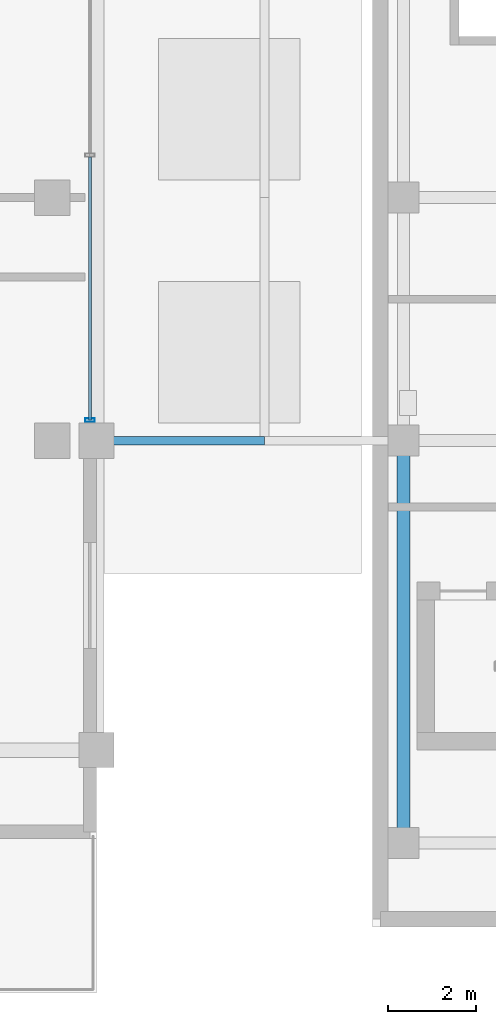
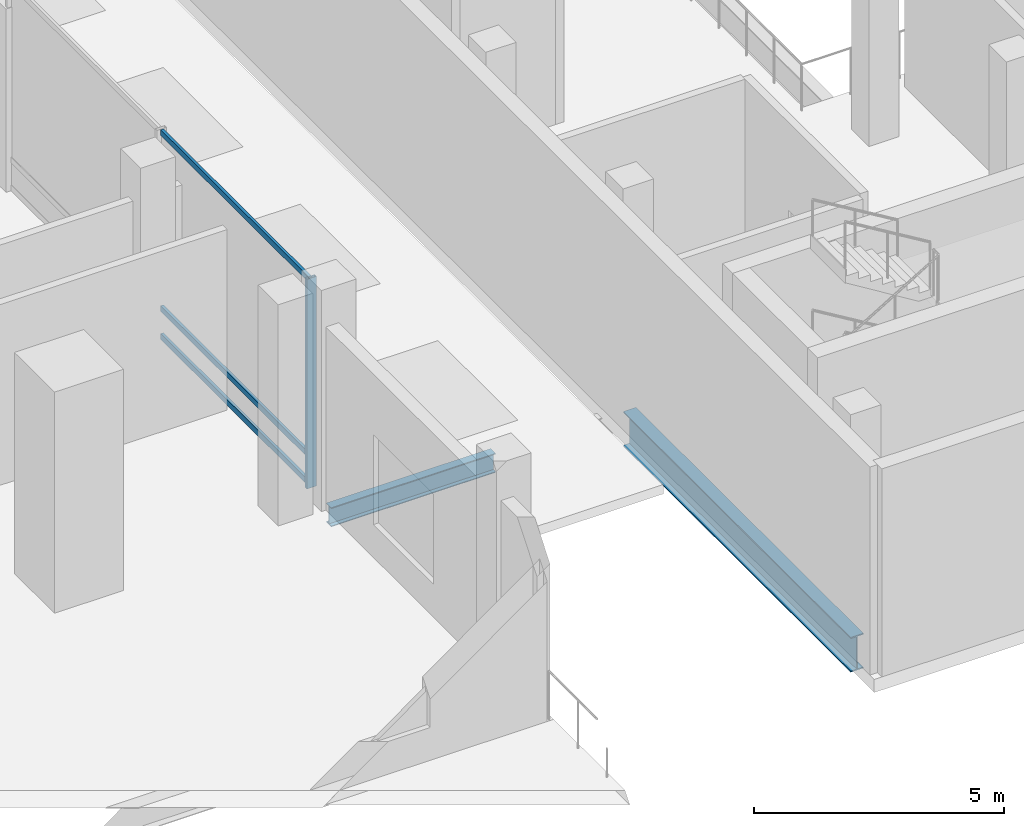
# One storey, part 9 of 36: 4 members, 2 beams, 1 element without a shape of its own.
"""IFC4 building model written with IfcOpenShell, lengths in metres."""

from ifc_helpers import new_model, si_unit, direction, frame, origin, origin_2d, place, context, subcontext, project, spatial, hollow_rectangle, i_section, extrude, material, layer, layer_set, material_profile, profile_set, type_object, element, aggregate, save


model = new_model("IFC4")

# Units and contexts
model_context = context("Model", 3, precision=1e-05, world=origin(), true_north=direction((0.0, 1.0)))
body_context = subcontext(model_context, "Body", "Model", "MODEL_VIEW")
ifc_project = project(units=[si_unit("LENGTHUNIT", "METRE"), si_unit("AREAUNIT", "SQUARE_METRE"), si_unit("VOLUMEUNIT", "CUBIC_METRE"), si_unit("PLANEANGLEUNIT", "RADIAN"), si_unit("MASSUNIT", "GRAM", prefix="KILO")], contexts=[model_context])

# Site, building, storey
site_placement = place(None, origin())
site = spatial("IfcSite", under=ifc_project, at=site_placement, CompositionType="ELEMENT")
building_placement = place(site_placement, origin())
building = spatial("IfcBuilding", under=site, at=building_placement, Name="Barlavira Tower and Art Museum", CompositionType="ELEMENT")
storey_placement = place(building_placement, frame((0.0, 0.0, 11.39990234375)))
storey = spatial("IfcBuildingStorey", under=building, at=storey_placement, Name="L02", CompositionType="ELEMENT", Elevation=11.39990234375)

# Beam
ifc_material_1 = material(Name="Steel S355", Category="steel")
ifc_material_profile_1 = material_profile(ifc_material_1, i_section(OverallWidth=0.194091796875, OverallDepth=0.468994140625, WebThickness=0.0126953125, FlangeThickness=0.0205078125, at=origin_2d()), Name="W460x106.0")
ifc_profile_set_1 = profile_set([ifc_material_profile_1], Name="Steel S355")
beam_type_1 = type_object("IfcBeamType", Name="Covered Arcade Roof Girder W460x106 Steel S355", PredefinedType="BEAM", material=ifc_profile_set_1)
beam_1_placement = place(storey_placement, frame((23.0, -13.0, -0.46435546875), z_axis=(1.0, 0.0, 0.0), x_axis=(0.0, 1.0, 0.0)))
element("IfcBeam", 1, at=beam_1_placement, inside=storey, type_object=beam_type_1, Name="L02 Arcade West Girder 1", PredefinedType="BEAM", context=body_context, shape_type="SweptSolid", body=[
    extrude(i_section(OverallWidth=0.194091796875, OverallDepth=0.468994140625, WebThickness=0.0126953125, FlangeThickness=0.0205078125, at=origin_2d()), origin(), (0.0, 0.0, 1.0), 3.800048828125),
])

# Curtain wall, members
ifc_material_2 = material(Name="Low-iron coastal laminated glass", Category="glass")
ifc_layer = layer(ifc_material_2, 0.219970703125, Name="Low-iron coastal laminated glass")
ifc_layer_set = layer_set([ifc_layer], Name="Low-iron coastal laminated glass")
curtain_wall_type = type_object("IfcCurtainWallType", Name="Double-Height Podium Arcade Storefront Curtain Wall", PredefinedType="NOTDEFINED", material=ifc_layer_set)
curtain_wall_placement = place(storey_placement, origin())
curtain_wall = element("IfcCurtainWall", 2, at=curtain_wall_placement, inside=storey, type_object=curtain_wall_type, Name="L02 Curtain Wall CW5-L02-ES", PredefinedType="NOTDEFINED")
ifc_material_3 = material(Name="Pale anodised aluminium", Category="aluminium")
ifc_material_profile_2 = material_profile(ifc_material_3, hollow_rectangle(XDim=0.074951171875, YDim=0.219970703125, WallThickness=0.0048828125, at=origin_2d()), Name="ALU-MULL 75x220x5")
ifc_profile_set_2 = profile_set([ifc_material_profile_2], Name="Pale anodised aluminium")
member_type_1 = type_object("IfcMemberType", Name="Curtain Wall Heavy Pale-Metal Mullion 75x220", PredefinedType="MULLION", material=ifc_profile_set_2)
member_1_placement = place(storey_placement, frame((22.85009765625, -12.534912109375, 0.0), z_axis=(0.0, 0.0, 1.0), x_axis=(0.0, 1.0, 0.0)))
member_1 = element("IfcMember", 3, at=member_1_placement, type_object=member_type_1, Name="CW5-L02-ES Mullion 0", PredefinedType="MULLION", context=body_context, shape_type="SweptSolid", body=[
    extrude(hollow_rectangle(XDim=0.074951171875, YDim=0.219970703125, WallThickness=0.0048828125, at=origin_2d()), origin(), (0.0, 0.0, 1.0), 5.1201171875),
])
ifc_material_profile_3 = material_profile(ifc_material_3, hollow_rectangle(XDim=0.06494140625, YDim=0.139892578125, WallThickness=0.00390625, at=origin_2d()), Name="ALU-TRAN 65x140x4")
ifc_profile_set_3 = profile_set([ifc_material_profile_3], Name="Pale anodised aluminium")
member_type_2 = type_object("IfcMemberType", Name="Curtain Wall Pale-Metal Transom 65x140", PredefinedType="USERDEFINED", material=ifc_profile_set_3)
member_2_placement = place(storey_placement, frame((22.85009765625, -12.534912109375, 0.070068359375), z_axis=(0.0, 1.0, 0.0), x_axis=(-1.0, 0.0, 0.0)))
member_2 = element("IfcMember", 4, at=member_2_placement, type_object=member_type_2, Name="CW5-L02-ES Transom 0.1", ObjectType="TRANSOM", PredefinedType="USERDEFINED", context=body_context, shape_type="SweptSolid", body=[
    extrude(hollow_rectangle(XDim=0.06494140625, YDim=0.139892578125, WallThickness=0.00390625, at=origin_2d()), origin(), (0.0, 0.0, 1.0), 5.949951171875),
])
member_3_placement = place(storey_placement, frame((22.85009765625, -12.534912109375, 0.75), z_axis=(0.0, 1.0, 0.0), x_axis=(-1.0, 0.0, 0.0)))
member_3 = element("IfcMember", 5, at=member_3_placement, type_object=member_type_2, Name="CW5-L02-ES Transom 0.2", ObjectType="TRANSOM", PredefinedType="USERDEFINED", context=body_context, shape_type="SweptSolid", body=[
    extrude(hollow_rectangle(XDim=0.06494140625, YDim=0.139892578125, WallThickness=0.00390625, at=origin_2d()), origin(), (0.0, 0.0, 1.0), 5.949951171875),
])
member_4_placement = place(storey_placement, frame((22.85009765625, -12.534912109375, 5.050048828125), z_axis=(0.0, 1.0, 0.0), x_axis=(-1.0, 0.0, 0.0)))
member_4 = element("IfcMember", 6, at=member_4_placement, type_object=member_type_2, Name="CW5-L02-ES Transom 0.3", ObjectType="TRANSOM", PredefinedType="USERDEFINED", context=body_context, shape_type="SweptSolid", body=[
    extrude(hollow_rectangle(XDim=0.06494140625, YDim=0.139892578125, WallThickness=0.00390625, at=origin_2d()), origin(), (0.0, 0.0, 1.0), 5.949951171875),
])
aggregate(curtain_wall, [member_1, member_2, member_3, member_4])

# Beam
ifc_material_profile_4 = material_profile(ifc_material_1, i_section(OverallWidth=0.2939453125, OverallDepth=0.85107421875, WebThickness=0.017333984375, FlangeThickness=0.0283203125, at=origin_2d()), Name="W840x251.0")
ifc_profile_set_4 = profile_set([ifc_material_profile_4], Name="Steel S355")
beam_type_2 = type_object("IfcBeamType", Name="Museum Auditorium Heavy Girder W840x251 Steel S355", PredefinedType="BEAM", material=ifc_profile_set_4)
beam_2_placement = place(storey_placement, frame((29.949951171875, -22.10009765625, -0.745361328125), z_axis=(0.0, 1.0, 0.0), x_axis=(-1.0, 0.0, 0.0)))
element("IfcBeam", 7, at=beam_2_placement, inside=storey, type_object=beam_type_2, Name="L02 Museum Girder Y 1-1", PredefinedType="BEAM", context=body_context, shape_type="SweptSolid", body=[
    extrude(i_section(OverallWidth=0.2939453125, OverallDepth=0.85107421875, WebThickness=0.017333984375, FlangeThickness=0.0283203125, at=origin_2d()), origin(), (0.0, 0.0, 1.0), 9.10009765625),
])

save(model, "model.ifc")
